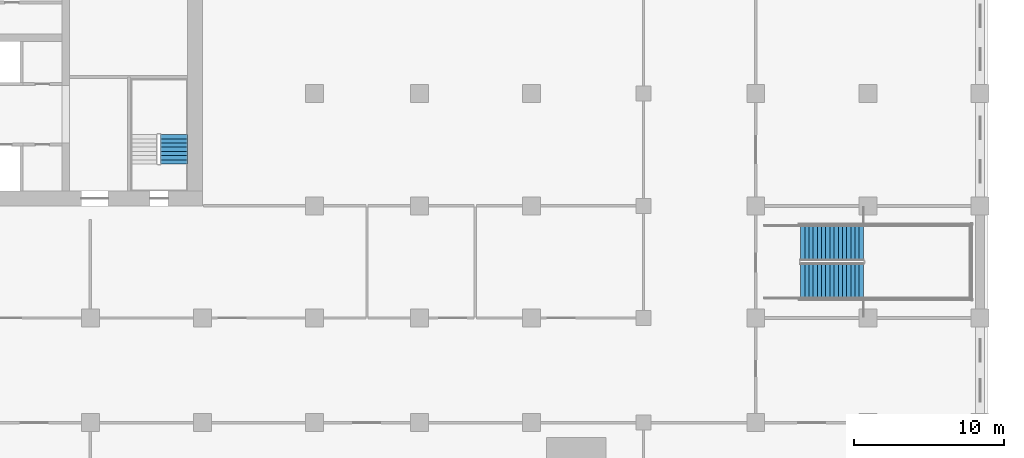
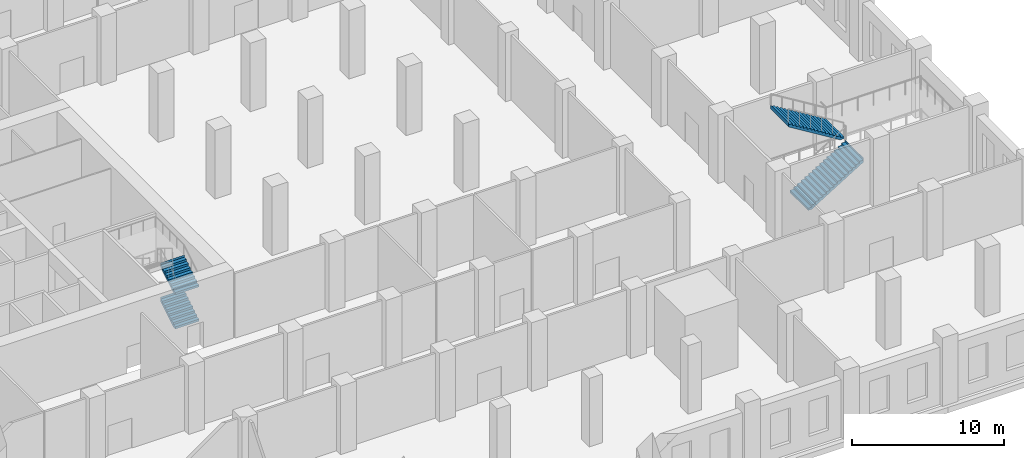
# One storey, part 16 of 25: 4 stair flights, 2 elements without a shape of their own.
"""IFC4 building model written with IfcOpenShell, lengths in metres."""

from ifc_helpers import new_model, si_unit, direction, frame, origin, place, context, subcontext, project, spatial, polyline, outline, extrude, material, type_object, element, aggregate, save


model = new_model("IFC4")

# Units and contexts
model_context = context("Model", 3, precision=1e-05, world=origin(), true_north=direction((0.0, 1.0)))
body_context = subcontext(model_context, "Body", "Model", "MODEL_VIEW")
ifc_project = project(units=[si_unit("LENGTHUNIT", "METRE"), si_unit("AREAUNIT", "SQUARE_METRE"), si_unit("VOLUMEUNIT", "CUBIC_METRE"), si_unit("PLANEANGLEUNIT", "RADIAN"), si_unit("MASSUNIT", "GRAM", prefix="KILO")], contexts=[model_context])

# Site, building, storey
site_placement = place(None, origin())
site = spatial("IfcSite", under=ifc_project, at=site_placement, CompositionType="ELEMENT")
building_placement = place(site_placement, origin())
building = spatial("IfcBuilding", under=site, at=building_placement, Name="Tamorin Gate", CompositionType="ELEMENT")
storey_placement = place(building_placement, frame((0.0, 0.0, 23.5)))
storey = spatial("IfcBuildingStorey", under=building, at=storey_placement, Name="L04", CompositionType="ELEMENT", Elevation=23.5)

# Stair, stair flights
ifc_material_1 = material(Name="Concrete C40/50", Category="concrete")
stair_type_1 = type_object("IfcStairType", Name="Exit stair", PredefinedType="HALF_TURN_STAIR", material=ifc_material_1)
stair_1_placement = place(storey_placement, origin())
stair_1 = element("IfcStair", 1, at=stair_1_placement, inside=storey, type_object=stair_type_1, Name="L04 stair ST3", PredefinedType="HALF_TURN_STAIR")
stair_flight_type_1 = type_object("IfcStairFlightType", Name="Exit stair flight", PredefinedType="STRAIGHT", material=ifc_material_1)
stair_flight_1_placement = place(storey_placement, frame((58.10009765625, 62.800048828125, 0.0), z_axis=(0.0, 0.0, 1.0), x_axis=(0.0, 1.0, 0.0)))
stair_flight_1 = element("IfcStairFlight", 2, at=stair_flight_1_placement, type_object=stair_flight_type_1, Name="ST3 flight 1", NumberOfRisers=8, NumberOfTreads=7, PredefinedType="STRAIGHT", RiserHeight=0.171875, TreadLength=0.28, context=body_context, shape_type="SweptSolid", body=[
    extrude(outline(polyline([(-0.00048828125, 0.0), (-0.00048828125, 0.001708984375), (-0.00048828125, 0.00341796875), (-0.00048828125, 0.005126953125), (-0.00048828125, 0.0068359375), (-0.00048828125, 0.008544921875), (-0.00048828125, 0.01025390625), (-0.00048828125, 0.011962890625), (-0.00048828125, 0.013671875), (-0.00048828125, 0.015380859375), (-0.00048828125, 0.01708984375), (-0.00048828125, 0.018798828125), (-0.00048828125, 0.0205078125), (-0.00048828125, 0.022216796875), (-0.00048828125, 0.02392578125), (-0.00048828125, 0.025634765625), (-0.00048828125, 0.02734375), (-0.00048828125, 0.02880859375), (-0.00048828125, 0.030517578125), (-0.00048828125, 0.0322265625), (-0.00048828125, 0.033935546875), (-0.00048828125, 0.03564453125), (-0.00048828125, 0.037353515625), (-0.00048828125, 0.0390625), (-0.00048828125, 0.040771484375), (-0.00048828125, 0.04248046875), (-0.00048828125, 0.044189453125), (-0.00048828125, 0.0458984375), (-0.00048828125, 0.047607421875), (-0.00048828125, 0.04931640625), (-0.00048828125, 0.051025390625), (-0.00048828125, 0.052734375), (-0.00048828125, 0.054443359375), (-0.00048828125, 0.05615234375), (-0.00048828125, 0.057861328125), (-0.00048828125, 0.0595703125), (-0.00048828125, 0.061279296875), (-0.00048828125, 0.06298828125), (-0.00048828125, 0.064697265625), (-0.00048828125, 0.06640625), (-0.00048828125, 0.068115234375), (-0.00048828125, 0.06982421875), (-0.00048828125, 0.071533203125), (-0.00048828125, 0.0732421875), (-0.00048828125, 0.074951171875), (-0.00048828125, 0.07666015625), (-0.00048828125, 0.078369140625), (-0.00048828125, 0.080078125), (-0.00048828125, 0.081787109375), (-0.00048828125, 0.08349609375), (-0.00048828125, 0.085205078125), (-0.00048828125, 0.086669921875), (-0.00048828125, 0.08837890625), (-0.00048828125, 0.090087890625), (-0.00048828125, 0.091796875), (-0.00048828125, 0.093505859375), (-0.00048828125, 0.09521484375), (-0.00048828125, 0.096923828125), (-0.00048828125, 0.0986328125), (-0.00048828125, 0.100341796875), (-0.00048828125, 0.10205078125), (-0.00048828125, 0.103759765625), (-0.00048828125, 0.10546875), (-0.00048828125, 0.107177734375), (-0.00048828125, 0.10888671875), (-0.00048828125, 0.110595703125), (-0.00048828125, 0.1123046875), (-0.00048828125, 0.114013671875), (-0.00048828125, 0.11572265625), (-0.00048828125, 0.117431640625), (-0.00048828125, 0.119140625), (-0.00048828125, 0.120849609375), (-0.00048828125, 0.12255859375), (-0.00048828125, 0.124267578125), (-0.00048828125, 0.1259765625), (-0.00048828125, 0.127685546875), (-0.00048828125, 0.12939453125), (-0.00048828125, 0.131103515625), (-0.00048828125, 0.1328125), (-0.00048828125, 0.134521484375), (-0.00048828125, 0.13623046875), (-0.00048828125, 0.137939453125), (-0.00048828125, 0.1396484375), (-0.00048828125, 0.141357421875), (-0.00048828125, 0.14306640625), (-0.00048828125, 0.14453125), (-0.00048828125, 0.146240234375), (-0.00048828125, 0.14794921875), (-0.00048828125, 0.149658203125), (-0.00048828125, 0.1513671875), (-0.00048828125, 0.153076171875), (-0.00048828125, 0.15478515625), (-0.00048828125, 0.156494140625), (-0.00048828125, 0.158203125), (-0.00048828125, 0.159912109375), (-0.00048828125, 0.16162109375), (-0.00048828125, 0.163330078125), (-0.00048828125, 0.1650390625), (-0.00048828125, 0.166748046875), (-0.00048828125, 0.16845703125), (-0.00048828125, 0.170166015625), (-0.00048828125, 0.171875), (0.280029296875, 0.171875), (0.280029296875, 0.34375), (0.56005859375, 0.34375), (0.56005859375, 0.515625), (0.840087890625, 0.515625), (0.840087890625, 0.6875), (1.1201171875, 0.6875), (1.1201171875, 0.859375), (1.39990234375, 0.859375), (1.39990234375, 1.03125), (1.679931640625, 1.03125), (1.679931640625, 1.203125), (1.9599609375, 1.203125), (1.9599609375, 1.375), (1.96044921875, 1.375), (1.96044921875, 1.37158203125), (1.96044921875, 1.3681640625), (1.96044921875, 1.36474609375), (1.96044921875, 1.361328125), (1.96044921875, 1.357666015625), (1.96044921875, 1.354248046875), (1.96044921875, 1.350830078125), (1.96044921875, 1.347412109375), (1.96044921875, 1.343994140625), (1.96044921875, 1.340576171875), (1.96044921875, 1.337158203125), (1.96044921875, 1.333740234375), (1.96044921875, 1.330322265625), (1.96044921875, 1.326904296875), (1.96044921875, 1.3232421875), (1.96044921875, 1.31982421875), (1.96044921875, 1.31640625), (1.96044921875, 1.31298828125), (1.96044921875, 1.3095703125), (1.96044921875, 1.30615234375), (1.96044921875, 1.302734375), (1.96044921875, 1.29931640625), (1.96044921875, 1.2958984375), (1.96044921875, 1.29248046875), (1.96044921875, 1.288818359375), (1.96044921875, 1.285400390625), (1.96044921875, 1.281982421875), (1.96044921875, 1.278564453125), (1.96044921875, 1.275146484375), (1.96044921875, 1.271728515625), (1.96044921875, 1.268310546875), (1.96044921875, 1.264892578125), (1.96044921875, 1.261474609375), (1.96044921875, 1.2578125), (1.96044921875, 1.25439453125), (1.96044921875, 1.2509765625), (1.96044921875, 1.24755859375), (1.96044921875, 1.244140625), (1.96044921875, 1.24072265625), (1.96044921875, 1.2373046875), (1.96044921875, 1.23388671875), (1.96044921875, 1.23046875), (1.96044921875, 1.22705078125), (1.96044921875, 1.223388671875), (1.96044921875, 1.219970703125), (1.96044921875, 1.216552734375), (1.96044921875, 1.213134765625), (1.96044921875, 1.209716796875), (1.96044921875, 1.206298828125), (1.96044921875, 1.202880859375), (1.96044921875, 1.199462890625), (1.96044921875, 1.196044921875), (1.96044921875, 1.192626953125), (1.96044921875, 1.18896484375), (1.96044921875, 1.185546875), (1.96044921875, 1.18212890625), (1.96044921875, 1.1787109375), (1.96044921875, 1.17529296875), (1.96044921875, 1.171875), (1.96044921875, 1.16845703125), (1.96044921875, 1.1650390625), (1.96044921875, 1.16162109375), (1.96044921875, 1.157958984375), (1.96044921875, 1.154541015625), (1.96044921875, 1.151123046875), (1.96044921875, 1.147705078125), (1.96044921875, 1.144287109375), (1.96044921875, 1.140869140625), (1.96044921875, 1.137451171875), (1.96044921875, 1.134033203125), (1.96044921875, 1.130615234375), (1.96044921875, 1.127197265625), (1.96044921875, 1.12353515625), (1.96044921875, 1.1201171875), (1.96044921875, 1.11669921875), (1.96044921875, 1.11328125), (1.96044921875, 1.10986328125), (1.96044921875, 1.1064453125), (1.96044921875, 1.10302734375), (1.96044921875, 1.099609375), (1.96044921875, 1.09619140625), (1.96044921875, 1.0927734375), (1.96044921875, 1.089111328125), (1.96044921875, 1.085693359375), (1.96044921875, 1.082275390625), (1.96044921875, 1.078857421875), (1.96044921875, 1.075439453125), (1.96044921875, 1.072021484375), (1.96044921875, 1.068603515625), (1.96044921875, 1.065185546875), (1.96044921875, 1.061767578125), (1.96044921875, 1.05810546875), (1.96044921875, 1.0546875), (1.96044921875, 1.05126953125), (1.96044921875, 1.0478515625), (1.96044921875, 1.04443359375), (1.96044921875, 1.041015625), (1.96044921875, 1.03759765625), (1.96044921875, 1.0341796875), (1.96044921875, 1.03076171875), (1.96044921875, 1.02734375), (1.9599609375, 1.02734375), (0.28662109375, 0.0), (-0.00048828125, 0.0)])), frame((0.0, 0.89990234375, 0.0), z_axis=(0.0, -1.0, 0.0), x_axis=(1.0, 0.0, 0.0)), (0.0, 0.0, 1.0), 1.800048828125),
])
stair_flight_2_placement = place(storey_placement, frame((58.10009765625, 62.800048828125, 2.75), z_axis=(0.0, 0.0, 1.0), x_axis=(0.0, 1.0, 0.0)))
stair_flight_2 = element("IfcStairFlight", 3, at=stair_flight_2_placement, type_object=stair_flight_type_1, Name="ST3 flight 3", NumberOfRisers=8, NumberOfTreads=7, PredefinedType="STRAIGHT", RiserHeight=0.171875, TreadLength=0.28, context=body_context, shape_type="SweptSolid", body=[
    extrude(outline(polyline([(-0.00048828125, 0.0), (-0.00048828125, 0.001708984375), (-0.00048828125, 0.00341796875), (-0.00048828125, 0.005126953125), (-0.00048828125, 0.0068359375), (-0.00048828125, 0.008544921875), (-0.00048828125, 0.01025390625), (-0.00048828125, 0.011962890625), (-0.00048828125, 0.013671875), (-0.00048828125, 0.015380859375), (-0.00048828125, 0.01708984375), (-0.00048828125, 0.018798828125), (-0.00048828125, 0.0205078125), (-0.00048828125, 0.022216796875), (-0.00048828125, 0.02392578125), (-0.00048828125, 0.025634765625), (-0.00048828125, 0.02734375), (-0.00048828125, 0.02880859375), (-0.00048828125, 0.030517578125), (-0.00048828125, 0.0322265625), (-0.00048828125, 0.033935546875), (-0.00048828125, 0.03564453125), (-0.00048828125, 0.037353515625), (-0.00048828125, 0.0390625), (-0.00048828125, 0.040771484375), (-0.00048828125, 0.04248046875), (-0.00048828125, 0.044189453125), (-0.00048828125, 0.0458984375), (-0.00048828125, 0.047607421875), (-0.00048828125, 0.04931640625), (-0.00048828125, 0.051025390625), (-0.00048828125, 0.052734375), (-0.00048828125, 0.054443359375), (-0.00048828125, 0.05615234375), (-0.00048828125, 0.057861328125), (-0.00048828125, 0.0595703125), (-0.00048828125, 0.061279296875), (-0.00048828125, 0.06298828125), (-0.00048828125, 0.064697265625), (-0.00048828125, 0.06640625), (-0.00048828125, 0.068115234375), (-0.00048828125, 0.06982421875), (-0.00048828125, 0.071533203125), (-0.00048828125, 0.0732421875), (-0.00048828125, 0.074951171875), (-0.00048828125, 0.07666015625), (-0.00048828125, 0.078369140625), (-0.00048828125, 0.080078125), (-0.00048828125, 0.081787109375), (-0.00048828125, 0.08349609375), (-0.00048828125, 0.085205078125), (-0.00048828125, 0.086669921875), (-0.00048828125, 0.08837890625), (-0.00048828125, 0.090087890625), (-0.00048828125, 0.091796875), (-0.00048828125, 0.093505859375), (-0.00048828125, 0.09521484375), (-0.00048828125, 0.096923828125), (-0.00048828125, 0.0986328125), (-0.00048828125, 0.100341796875), (-0.00048828125, 0.10205078125), (-0.00048828125, 0.103759765625), (-0.00048828125, 0.10546875), (-0.00048828125, 0.107177734375), (-0.00048828125, 0.10888671875), (-0.00048828125, 0.110595703125), (-0.00048828125, 0.1123046875), (-0.00048828125, 0.114013671875), (-0.00048828125, 0.11572265625), (-0.00048828125, 0.117431640625), (-0.00048828125, 0.119140625), (-0.00048828125, 0.120849609375), (-0.00048828125, 0.12255859375), (-0.00048828125, 0.124267578125), (-0.00048828125, 0.1259765625), (-0.00048828125, 0.127685546875), (-0.00048828125, 0.12939453125), (-0.00048828125, 0.131103515625), (-0.00048828125, 0.1328125), (-0.00048828125, 0.134521484375), (-0.00048828125, 0.13623046875), (-0.00048828125, 0.137939453125), (-0.00048828125, 0.1396484375), (-0.00048828125, 0.141357421875), (-0.00048828125, 0.14306640625), (-0.00048828125, 0.14453125), (-0.00048828125, 0.146240234375), (-0.00048828125, 0.14794921875), (-0.00048828125, 0.149658203125), (-0.00048828125, 0.1513671875), (-0.00048828125, 0.153076171875), (-0.00048828125, 0.15478515625), (-0.00048828125, 0.156494140625), (-0.00048828125, 0.158203125), (-0.00048828125, 0.159912109375), (-0.00048828125, 0.16162109375), (-0.00048828125, 0.163330078125), (-0.00048828125, 0.1650390625), (-0.00048828125, 0.166748046875), (-0.00048828125, 0.16845703125), (-0.00048828125, 0.170166015625), (-0.00048828125, 0.171875), (0.280029296875, 0.171875), (0.280029296875, 0.34375), (0.56005859375, 0.34375), (0.56005859375, 0.515625), (0.840087890625, 0.515625), (0.840087890625, 0.6875), (1.1201171875, 0.6875), (1.1201171875, 0.859375), (1.39990234375, 0.859375), (1.39990234375, 1.03125), (1.679931640625, 1.03125), (1.679931640625, 1.203125), (1.9599609375, 1.203125), (1.9599609375, 1.375), (1.96044921875, 1.375), (1.96044921875, 1.37158203125), (1.96044921875, 1.3681640625), (1.96044921875, 1.36474609375), (1.96044921875, 1.361328125), (1.96044921875, 1.357666015625), (1.96044921875, 1.354248046875), (1.96044921875, 1.350830078125), (1.96044921875, 1.347412109375), (1.96044921875, 1.343994140625), (1.96044921875, 1.340576171875), (1.96044921875, 1.337158203125), (1.96044921875, 1.333740234375), (1.96044921875, 1.330322265625), (1.96044921875, 1.326904296875), (1.96044921875, 1.3232421875), (1.96044921875, 1.31982421875), (1.96044921875, 1.31640625), (1.96044921875, 1.31298828125), (1.96044921875, 1.3095703125), (1.96044921875, 1.30615234375), (1.96044921875, 1.302734375), (1.96044921875, 1.29931640625), (1.96044921875, 1.2958984375), (1.96044921875, 1.29248046875), (1.96044921875, 1.288818359375), (1.96044921875, 1.285400390625), (1.96044921875, 1.281982421875), (1.96044921875, 1.278564453125), (1.96044921875, 1.275146484375), (1.96044921875, 1.271728515625), (1.96044921875, 1.268310546875), (1.96044921875, 1.264892578125), (1.96044921875, 1.261474609375), (1.96044921875, 1.2578125), (1.96044921875, 1.25439453125), (1.96044921875, 1.2509765625), (1.96044921875, 1.24755859375), (1.96044921875, 1.244140625), (1.96044921875, 1.24072265625), (1.96044921875, 1.2373046875), (1.96044921875, 1.23388671875), (1.96044921875, 1.23046875), (1.96044921875, 1.22705078125), (1.96044921875, 1.223388671875), (1.96044921875, 1.219970703125), (1.96044921875, 1.216552734375), (1.96044921875, 1.213134765625), (1.96044921875, 1.209716796875), (1.96044921875, 1.206298828125), (1.96044921875, 1.202880859375), (1.96044921875, 1.199462890625), (1.96044921875, 1.196044921875), (1.96044921875, 1.192626953125), (1.96044921875, 1.18896484375), (1.96044921875, 1.185546875), (1.96044921875, 1.18212890625), (1.96044921875, 1.1787109375), (1.96044921875, 1.17529296875), (1.96044921875, 1.171875), (1.96044921875, 1.16845703125), (1.96044921875, 1.1650390625), (1.96044921875, 1.16162109375), (1.96044921875, 1.157958984375), (1.96044921875, 1.154541015625), (1.96044921875, 1.151123046875), (1.96044921875, 1.147705078125), (1.96044921875, 1.144287109375), (1.96044921875, 1.140869140625), (1.96044921875, 1.137451171875), (1.96044921875, 1.134033203125), (1.96044921875, 1.130615234375), (1.96044921875, 1.127197265625), (1.96044921875, 1.12353515625), (1.96044921875, 1.1201171875), (1.96044921875, 1.11669921875), (1.96044921875, 1.11328125), (1.96044921875, 1.10986328125), (1.96044921875, 1.1064453125), (1.96044921875, 1.10302734375), (1.96044921875, 1.099609375), (1.96044921875, 1.09619140625), (1.96044921875, 1.0927734375), (1.96044921875, 1.089111328125), (1.96044921875, 1.085693359375), (1.96044921875, 1.082275390625), (1.96044921875, 1.078857421875), (1.96044921875, 1.075439453125), (1.96044921875, 1.072021484375), (1.96044921875, 1.068603515625), (1.96044921875, 1.065185546875), (1.96044921875, 1.061767578125), (1.96044921875, 1.05810546875), (1.96044921875, 1.0546875), (1.96044921875, 1.05126953125), (1.96044921875, 1.0478515625), (1.96044921875, 1.04443359375), (1.96044921875, 1.041015625), (1.96044921875, 1.03759765625), (1.96044921875, 1.0341796875), (1.96044921875, 1.03076171875), (1.96044921875, 1.02734375), (1.9599609375, 1.02734375), (0.28662109375, 0.0), (-0.00048828125, 0.0)])), frame((0.0, 0.89990234375, 0.0), z_axis=(0.0, -1.0, 0.0), x_axis=(1.0, 0.0, 0.0)), (0.0, 0.0, 1.0), 1.800048828125),
])
aggregate(stair_1, [stair_flight_1, stair_flight_2])

ifc_material_2 = material(Name="Reinforced concrete C32/40", Category="concrete")
stair_type_2 = type_object("IfcStairType", Name="Podium stair PS", PredefinedType="HALF_TURN_STAIR", material=ifc_material_2)
stair_2_placement = place(storey_placement, origin())
stair_2 = element("IfcStair", 4, at=stair_2_placement, inside=storey, type_object=stair_type_2, Name="L04 Podium stair PS3", PredefinedType="HALF_TURN_STAIR")
stair_flight_type_2 = type_object("IfcStairFlightType", Name="Stair flight 2400", PredefinedType="STRAIGHT", material=ifc_material_2)
stair_flight_3_placement = place(storey_placement, frame((100.0, 54.97509765625, 0.0), z_axis=(0.0, 0.0, 1.0), x_axis=(1.0, 0.0, 0.0)))
stair_flight_3 = element("IfcStairFlight", 5, at=stair_flight_3_placement, type_object=stair_flight_type_2, Name="PS3 flight 1", NumberOfRisers=16, NumberOfTreads=15, PredefinedType="STRAIGHT", RiserHeight=0.171875, TreadLength=0.28, context=body_context, shape_type="SweptSolid", body=[
    extrude(outline(polyline([(-0.00048828125, 0.0), (-0.00048828125, 0.001708984375), (-0.00048828125, 0.00341796875), (-0.00048828125, 0.005126953125), (-0.00048828125, 0.0068359375), (-0.00048828125, 0.008544921875), (-0.00048828125, 0.01025390625), (-0.00048828125, 0.011962890625), (-0.00048828125, 0.013671875), (-0.00048828125, 0.015380859375), (-0.00048828125, 0.01708984375), (-0.00048828125, 0.018798828125), (-0.00048828125, 0.0205078125), (-0.00048828125, 0.022216796875), (-0.00048828125, 0.02392578125), (-0.00048828125, 0.025634765625), (-0.00048828125, 0.02734375), (-0.00048828125, 0.02880859375), (-0.00048828125, 0.030517578125), (-0.00048828125, 0.0322265625), (-0.00048828125, 0.033935546875), (-0.00048828125, 0.03564453125), (-0.00048828125, 0.037353515625), (-0.00048828125, 0.0390625), (-0.00048828125, 0.040771484375), (-0.00048828125, 0.04248046875), (-0.00048828125, 0.044189453125), (-0.00048828125, 0.0458984375), (-0.00048828125, 0.047607421875), (-0.00048828125, 0.04931640625), (-0.00048828125, 0.051025390625), (-0.00048828125, 0.052734375), (-0.00048828125, 0.054443359375), (-0.00048828125, 0.05615234375), (-0.00048828125, 0.057861328125), (-0.00048828125, 0.0595703125), (-0.00048828125, 0.061279296875), (-0.00048828125, 0.06298828125), (-0.00048828125, 0.064697265625), (-0.00048828125, 0.06640625), (-0.00048828125, 0.068115234375), (-0.00048828125, 0.06982421875), (-0.00048828125, 0.071533203125), (-0.00048828125, 0.0732421875), (-0.00048828125, 0.074951171875), (-0.00048828125, 0.07666015625), (-0.00048828125, 0.078369140625), (-0.00048828125, 0.080078125), (-0.00048828125, 0.081787109375), (-0.00048828125, 0.08349609375), (-0.00048828125, 0.085205078125), (-0.00048828125, 0.086669921875), (-0.00048828125, 0.08837890625), (-0.00048828125, 0.090087890625), (-0.00048828125, 0.091796875), (-0.00048828125, 0.093505859375), (-0.00048828125, 0.09521484375), (-0.00048828125, 0.096923828125), (-0.00048828125, 0.0986328125), (-0.00048828125, 0.100341796875), (-0.00048828125, 0.10205078125), (-0.00048828125, 0.103759765625), (-0.00048828125, 0.10546875), (-0.00048828125, 0.107177734375), (-0.00048828125, 0.10888671875), (-0.00048828125, 0.110595703125), (-0.00048828125, 0.1123046875), (-0.00048828125, 0.114013671875), (-0.00048828125, 0.11572265625), (-0.00048828125, 0.117431640625), (-0.00048828125, 0.119140625), (-0.00048828125, 0.120849609375), (-0.00048828125, 0.12255859375), (-0.00048828125, 0.124267578125), (-0.00048828125, 0.1259765625), (-0.00048828125, 0.127685546875), (-0.00048828125, 0.12939453125), (-0.00048828125, 0.131103515625), (-0.00048828125, 0.1328125), (-0.00048828125, 0.134521484375), (-0.00048828125, 0.13623046875), (-0.00048828125, 0.137939453125), (-0.00048828125, 0.1396484375), (-0.00048828125, 0.141357421875), (-0.00048828125, 0.14306640625), (-0.00048828125, 0.14453125), (-0.00048828125, 0.146240234375), (-0.00048828125, 0.14794921875), (-0.00048828125, 0.149658203125), (-0.00048828125, 0.1513671875), (-0.00048828125, 0.153076171875), (-0.00048828125, 0.15478515625), (-0.00048828125, 0.156494140625), (-0.00048828125, 0.158203125), (-0.00048828125, 0.159912109375), (-0.00048828125, 0.16162109375), (-0.00048828125, 0.163330078125), (-0.00048828125, 0.1650390625), (-0.00048828125, 0.166748046875), (-0.00048828125, 0.16845703125), (-0.00048828125, 0.170166015625), (-0.00048828125, 0.171875), (0.280029296875, 0.171875), (0.280029296875, 0.34375), (0.56005859375, 0.34375), (0.56005859375, 0.515625), (0.840087890625, 0.515625), (0.840087890625, 0.6875), (1.1201171875, 0.6875), (1.1201171875, 0.859375), (1.39990234375, 0.859375), (1.39990234375, 1.03125), (1.679931640625, 1.03125), (1.679931640625, 1.203125), (1.9599609375, 1.203125), (1.9599609375, 1.375), (2.239990234375, 1.375), (2.239990234375, 1.546875), (2.52001953125, 1.546875), (2.52001953125, 1.71875), (2.800048828125, 1.71875), (2.800048828125, 1.890625), (3.080078125, 1.890625), (3.080078125, 2.0625), (3.360107421875, 2.0625), (3.360107421875, 2.234375), (3.639892578125, 2.234375), (3.639892578125, 2.40625), (3.919921875, 2.40625), (3.919921875, 2.578125), (4.199951171875, 2.578125), (4.199951171875, 2.75), (4.200439453125, 2.75), (4.200439453125, 2.74658203125), (4.200439453125, 2.7431640625), (4.200439453125, 2.73974609375), (4.200439453125, 2.736328125), (4.200439453125, 2.732666015625), (4.200439453125, 2.729248046875), (4.200439453125, 2.725830078125), (4.200439453125, 2.722412109375), (4.200439453125, 2.718994140625), (4.200439453125, 2.715576171875), (4.200439453125, 2.712158203125), (4.200439453125, 2.708740234375), (4.200439453125, 2.705322265625), (4.200439453125, 2.701904296875), (4.200439453125, 2.6982421875), (4.200439453125, 2.69482421875), (4.200439453125, 2.69140625), (4.200439453125, 2.68798828125), (4.200439453125, 2.6845703125), (4.200439453125, 2.68115234375), (4.200439453125, 2.677734375), (4.200439453125, 2.67431640625), (4.200439453125, 2.6708984375), (4.200439453125, 2.66748046875), (4.200439453125, 2.663818359375), (4.200439453125, 2.660400390625), (4.200439453125, 2.656982421875), (4.200439453125, 2.653564453125), (4.200439453125, 2.650146484375), (4.200439453125, 2.646728515625), (4.200439453125, 2.643310546875), (4.200439453125, 2.639892578125), (4.200439453125, 2.636474609375), (4.200439453125, 2.6328125), (4.200439453125, 2.62939453125), (4.200439453125, 2.6259765625), (4.200439453125, 2.62255859375), (4.200439453125, 2.619140625), (4.200439453125, 2.61572265625), (4.200439453125, 2.6123046875), (4.200439453125, 2.60888671875), (4.200439453125, 2.60546875), (4.200439453125, 2.60205078125), (4.200439453125, 2.598388671875), (4.200439453125, 2.594970703125), (4.200439453125, 2.591552734375), (4.200439453125, 2.588134765625), (4.200439453125, 2.584716796875), (4.200439453125, 2.581298828125), (4.200439453125, 2.577880859375), (4.200439453125, 2.574462890625), (4.200439453125, 2.571044921875), (4.200439453125, 2.567626953125), (4.200439453125, 2.56396484375), (4.200439453125, 2.560546875), (4.200439453125, 2.55712890625), (4.200439453125, 2.5537109375), (4.200439453125, 2.55029296875), (4.200439453125, 2.546875), (4.200439453125, 2.54345703125), (4.200439453125, 2.5400390625), (4.200439453125, 2.53662109375), (4.200439453125, 2.532958984375), (4.200439453125, 2.529541015625), (4.200439453125, 2.526123046875), (4.200439453125, 2.522705078125), (4.200439453125, 2.519287109375), (4.200439453125, 2.515869140625), (4.200439453125, 2.512451171875), (4.200439453125, 2.509033203125), (4.200439453125, 2.505615234375), (4.200439453125, 2.502197265625), (4.200439453125, 2.49853515625), (4.200439453125, 2.4951171875), (4.200439453125, 2.49169921875), (4.200439453125, 2.48828125), (4.200439453125, 2.48486328125), (4.200439453125, 2.4814453125), (4.200439453125, 2.47802734375), (4.200439453125, 2.474609375), (4.200439453125, 2.47119140625), (4.200439453125, 2.4677734375), (4.200439453125, 2.464111328125), (4.200439453125, 2.460693359375), (4.200439453125, 2.457275390625), (4.200439453125, 2.453857421875), (4.200439453125, 2.450439453125), (4.200439453125, 2.447021484375), (4.200439453125, 2.443603515625), (4.200439453125, 2.440185546875), (4.200439453125, 2.436767578125), (4.200439453125, 2.43310546875), (4.200439453125, 2.4296875), (4.200439453125, 2.42626953125), (4.200439453125, 2.4228515625), (4.200439453125, 2.41943359375), (4.200439453125, 2.416015625), (4.200439453125, 2.41259765625), (4.200439453125, 2.4091796875), (4.200439453125, 2.40576171875), (4.200439453125, 2.40234375), (4.199951171875, 2.40234375), (0.28662109375, 0.0), (-0.00048828125, 0.0)])), frame((0.0, 1.199951171875, 0.0), z_axis=(0.0, -1.0, 0.0), x_axis=(1.0, 0.0, 0.0)), (0.0, 0.0, 1.0), 2.39990234375),
])
stair_flight_4_placement = place(storey_placement, frame((104.199951171875, 57.52490234375, 2.75), z_axis=(0.0, 0.0, 1.0), x_axis=(-1.0, 0.0, 0.0)))
stair_flight_4 = element("IfcStairFlight", 6, at=stair_flight_4_placement, type_object=stair_flight_type_2, Name="PS3 flight 2", NumberOfRisers=16, NumberOfTreads=15, PredefinedType="STRAIGHT", RiserHeight=0.171875, TreadLength=0.28, context=body_context, shape_type="SweptSolid", body=[
    extrude(outline(polyline([(-0.00048828125, 0.0), (-0.00048828125, 0.001708984375), (-0.00048828125, 0.00341796875), (-0.00048828125, 0.005126953125), (-0.00048828125, 0.0068359375), (-0.00048828125, 0.008544921875), (-0.00048828125, 0.01025390625), (-0.00048828125, 0.011962890625), (-0.00048828125, 0.013671875), (-0.00048828125, 0.015380859375), (-0.00048828125, 0.01708984375), (-0.00048828125, 0.018798828125), (-0.00048828125, 0.0205078125), (-0.00048828125, 0.022216796875), (-0.00048828125, 0.02392578125), (-0.00048828125, 0.025634765625), (-0.00048828125, 0.02734375), (-0.00048828125, 0.02880859375), (-0.00048828125, 0.030517578125), (-0.00048828125, 0.0322265625), (-0.00048828125, 0.033935546875), (-0.00048828125, 0.03564453125), (-0.00048828125, 0.037353515625), (-0.00048828125, 0.0390625), (-0.00048828125, 0.040771484375), (-0.00048828125, 0.04248046875), (-0.00048828125, 0.044189453125), (-0.00048828125, 0.0458984375), (-0.00048828125, 0.047607421875), (-0.00048828125, 0.04931640625), (-0.00048828125, 0.051025390625), (-0.00048828125, 0.052734375), (-0.00048828125, 0.054443359375), (-0.00048828125, 0.05615234375), (-0.00048828125, 0.057861328125), (-0.00048828125, 0.0595703125), (-0.00048828125, 0.061279296875), (-0.00048828125, 0.06298828125), (-0.00048828125, 0.064697265625), (-0.00048828125, 0.06640625), (-0.00048828125, 0.068115234375), (-0.00048828125, 0.06982421875), (-0.00048828125, 0.071533203125), (-0.00048828125, 0.0732421875), (-0.00048828125, 0.074951171875), (-0.00048828125, 0.07666015625), (-0.00048828125, 0.078369140625), (-0.00048828125, 0.080078125), (-0.00048828125, 0.081787109375), (-0.00048828125, 0.08349609375), (-0.00048828125, 0.085205078125), (-0.00048828125, 0.086669921875), (-0.00048828125, 0.08837890625), (-0.00048828125, 0.090087890625), (-0.00048828125, 0.091796875), (-0.00048828125, 0.093505859375), (-0.00048828125, 0.09521484375), (-0.00048828125, 0.096923828125), (-0.00048828125, 0.0986328125), (-0.00048828125, 0.100341796875), (-0.00048828125, 0.10205078125), (-0.00048828125, 0.103759765625), (-0.00048828125, 0.10546875), (-0.00048828125, 0.107177734375), (-0.00048828125, 0.10888671875), (-0.00048828125, 0.110595703125), (-0.00048828125, 0.1123046875), (-0.00048828125, 0.114013671875), (-0.00048828125, 0.11572265625), (-0.00048828125, 0.117431640625), (-0.00048828125, 0.119140625), (-0.00048828125, 0.120849609375), (-0.00048828125, 0.12255859375), (-0.00048828125, 0.124267578125), (-0.00048828125, 0.1259765625), (-0.00048828125, 0.127685546875), (-0.00048828125, 0.12939453125), (-0.00048828125, 0.131103515625), (-0.00048828125, 0.1328125), (-0.00048828125, 0.134521484375), (-0.00048828125, 0.13623046875), (-0.00048828125, 0.137939453125), (-0.00048828125, 0.1396484375), (-0.00048828125, 0.141357421875), (-0.00048828125, 0.14306640625), (-0.00048828125, 0.14453125), (-0.00048828125, 0.146240234375), (-0.00048828125, 0.14794921875), (-0.00048828125, 0.149658203125), (-0.00048828125, 0.1513671875), (-0.00048828125, 0.153076171875), (-0.00048828125, 0.15478515625), (-0.00048828125, 0.156494140625), (-0.00048828125, 0.158203125), (-0.00048828125, 0.159912109375), (-0.00048828125, 0.16162109375), (-0.00048828125, 0.163330078125), (-0.00048828125, 0.1650390625), (-0.00048828125, 0.166748046875), (-0.00048828125, 0.16845703125), (-0.00048828125, 0.170166015625), (-0.00048828125, 0.171875), (0.280029296875, 0.171875), (0.280029296875, 0.34375), (0.56005859375, 0.34375), (0.56005859375, 0.515625), (0.840087890625, 0.515625), (0.840087890625, 0.6875), (1.1201171875, 0.6875), (1.1201171875, 0.859375), (1.39990234375, 0.859375), (1.39990234375, 1.03125), (1.679931640625, 1.03125), (1.679931640625, 1.203125), (1.9599609375, 1.203125), (1.9599609375, 1.375), (2.239990234375, 1.375), (2.239990234375, 1.546875), (2.52001953125, 1.546875), (2.52001953125, 1.71875), (2.800048828125, 1.71875), (2.800048828125, 1.890625), (3.080078125, 1.890625), (3.080078125, 2.0625), (3.360107421875, 2.0625), (3.360107421875, 2.234375), (3.639892578125, 2.234375), (3.639892578125, 2.40625), (3.919921875, 2.40625), (3.919921875, 2.578125), (4.199951171875, 2.578125), (4.199951171875, 2.75), (4.200439453125, 2.75), (4.200439453125, 2.74658203125), (4.200439453125, 2.7431640625), (4.200439453125, 2.73974609375), (4.200439453125, 2.736328125), (4.200439453125, 2.732666015625), (4.200439453125, 2.729248046875), (4.200439453125, 2.725830078125), (4.200439453125, 2.722412109375), (4.200439453125, 2.718994140625), (4.200439453125, 2.715576171875), (4.200439453125, 2.712158203125), (4.200439453125, 2.708740234375), (4.200439453125, 2.705322265625), (4.200439453125, 2.701904296875), (4.200439453125, 2.6982421875), (4.200439453125, 2.69482421875), (4.200439453125, 2.69140625), (4.200439453125, 2.68798828125), (4.200439453125, 2.6845703125), (4.200439453125, 2.68115234375), (4.200439453125, 2.677734375), (4.200439453125, 2.67431640625), (4.200439453125, 2.6708984375), (4.200439453125, 2.66748046875), (4.200439453125, 2.663818359375), (4.200439453125, 2.660400390625), (4.200439453125, 2.656982421875), (4.200439453125, 2.653564453125), (4.200439453125, 2.650146484375), (4.200439453125, 2.646728515625), (4.200439453125, 2.643310546875), (4.200439453125, 2.639892578125), (4.200439453125, 2.636474609375), (4.200439453125, 2.6328125), (4.200439453125, 2.62939453125), (4.200439453125, 2.6259765625), (4.200439453125, 2.62255859375), (4.200439453125, 2.619140625), (4.200439453125, 2.61572265625), (4.200439453125, 2.6123046875), (4.200439453125, 2.60888671875), (4.200439453125, 2.60546875), (4.200439453125, 2.60205078125), (4.200439453125, 2.598388671875), (4.200439453125, 2.594970703125), (4.200439453125, 2.591552734375), (4.200439453125, 2.588134765625), (4.200439453125, 2.584716796875), (4.200439453125, 2.581298828125), (4.200439453125, 2.577880859375), (4.200439453125, 2.574462890625), (4.200439453125, 2.571044921875), (4.200439453125, 2.567626953125), (4.200439453125, 2.56396484375), (4.200439453125, 2.560546875), (4.200439453125, 2.55712890625), (4.200439453125, 2.5537109375), (4.200439453125, 2.55029296875), (4.200439453125, 2.546875), (4.200439453125, 2.54345703125), (4.200439453125, 2.5400390625), (4.200439453125, 2.53662109375), (4.200439453125, 2.532958984375), (4.200439453125, 2.529541015625), (4.200439453125, 2.526123046875), (4.200439453125, 2.522705078125), (4.200439453125, 2.519287109375), (4.200439453125, 2.515869140625), (4.200439453125, 2.512451171875), (4.200439453125, 2.509033203125), (4.200439453125, 2.505615234375), (4.200439453125, 2.502197265625), (4.200439453125, 2.49853515625), (4.200439453125, 2.4951171875), (4.200439453125, 2.49169921875), (4.200439453125, 2.48828125), (4.200439453125, 2.48486328125), (4.200439453125, 2.4814453125), (4.200439453125, 2.47802734375), (4.200439453125, 2.474609375), (4.200439453125, 2.47119140625), (4.200439453125, 2.4677734375), (4.200439453125, 2.464111328125), (4.200439453125, 2.460693359375), (4.200439453125, 2.457275390625), (4.200439453125, 2.453857421875), (4.200439453125, 2.450439453125), (4.200439453125, 2.447021484375), (4.200439453125, 2.443603515625), (4.200439453125, 2.440185546875), (4.200439453125, 2.436767578125), (4.200439453125, 2.43310546875), (4.200439453125, 2.4296875), (4.200439453125, 2.42626953125), (4.200439453125, 2.4228515625), (4.200439453125, 2.41943359375), (4.200439453125, 2.416015625), (4.200439453125, 2.41259765625), (4.200439453125, 2.4091796875), (4.200439453125, 2.40576171875), (4.200439453125, 2.40234375), (4.199951171875, 2.40234375), (0.28662109375, 0.0), (-0.00048828125, 0.0)])), frame((0.0, 1.199951171875, 0.0), z_axis=(0.0, -1.0, 0.0), x_axis=(1.0, 0.0, 0.0)), (0.0, 0.0, 1.0), 2.39990234375),
])
aggregate(stair_2, [stair_flight_3, stair_flight_4])

save(model, "model.ifc")
